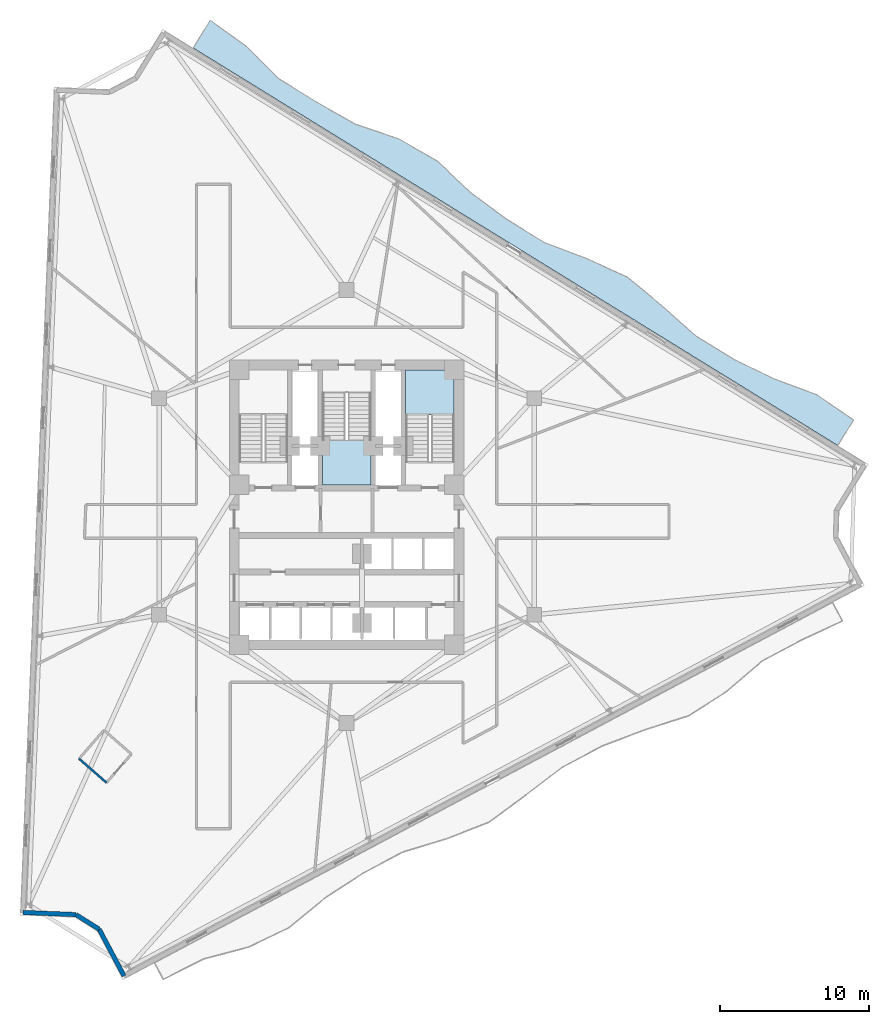
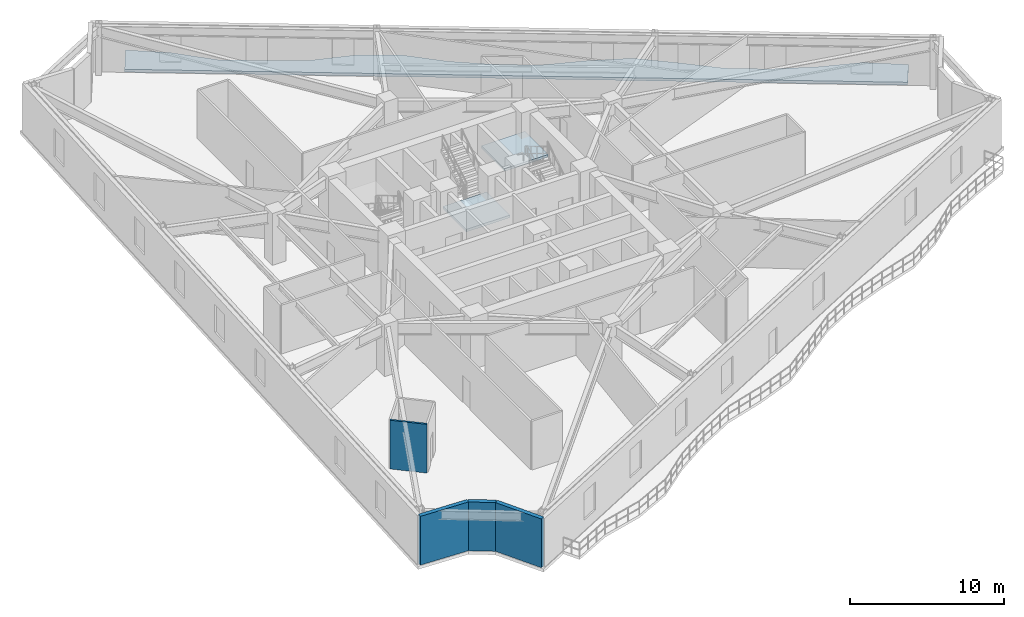
# One storey, part 4 of 11: 4 walls, 3 slabs, 2 elements without a shape of their own.
"""IFC4 building model written with IfcOpenShell, lengths in metres."""

import ifcopenshell
import ifcopenshell.guid

model = None  # the IFC model being written
_history = None  # IfcOwnerHistory: only IFC2X3 demands one
_inside = {}  # id of a spatial element -> (the spatial element, [elements in it])
_under = {}  # id of a project, library or spatial element -> (it, [spatial elements below it])
_declared = {}  # id of a project -> (the project, [libraries it declares])
_typed = {}  # id of a type object -> (the type object, [elements of that type])
_made_of = {}  # id of a material, layer set ... -> (it, [elements and type objects made of it])


def new_model(schema):
    """Start an empty IFC model of exactly this schema.

    Asked for "IFC4X3", IfcOpenShell would pick the latest addendum, in which some entities
    have other attributes; the version numbers below select the first issue.
    IFC2X3 requires an IfcOwnerHistory on every rooted entity: one is made here for all.
    """
    global model, _history
    if schema == "IFC4X3":
        model = ifcopenshell.file(schema_version=(4, 3, 0, 0))
    else:
        model = ifcopenshell.file(schema=schema)
    _inside.clear()
    _under.clear()
    _declared.clear()
    _typed.clear()
    _made_of.clear()
    _history = None
    if model.schema == "IFC2X3":
        org = make("IfcOrganization", Name="unknown")
        user = make(
            "IfcPersonAndOrganization",
            ThePerson=make("IfcPerson", FamilyName="unknown"),
            TheOrganization=org,
        )
        app = make(
            "IfcApplication",
            ApplicationDeveloper=org,
            Version="unknown",
            ApplicationFullName="unknown",
            ApplicationIdentifier="unknown",
        )
        _history = make(
            "IfcOwnerHistory",
            OwningUser=user,
            OwningApplication=app,
            ChangeAction="ADDED",
            CreationDate=0,
        )
    return model


def make(cls, **values):
    """One entity of the class cls with the attributes given. An attribute that is None is left unset."""
    return model.create_entity(
        cls, **{name: value for name, value in values.items() if value is not None}
    )


def rooted(cls, **values):
    """An entity with a GlobalId (a new one), such as an element, a storey or a relation."""
    return make(cls, GlobalId=ifcopenshell.guid.new(), OwnerHistory=_history, **values)


def si_unit(unit_type, name, prefix=None):
    """IfcSIUnit, for example si_unit("LENGTHUNIT", "METRE", prefix="MILLI")."""
    return make("IfcSIUnit", UnitType=unit_type, Prefix=prefix, Name=name)


def assignment(units):
    """IfcUnitAssignment: the units of a project."""
    return None if units is None else make("IfcUnitAssignment", Units=units)


def point(xyz):
    """IfcCartesianPoint."""
    return None if xyz is None else make("IfcCartesianPoint", Coordinates=xyz)


def direction(xyz):
    """IfcDirection."""
    return None if xyz is None else make("IfcDirection", DirectionRatios=xyz)


def frame(location, z_axis=None, x_axis=None):
    """IfcAxis2Placement3D, a coordinate frame: its origin and axes. An axis left out is left unset."""
    return make(
        "IfcAxis2Placement3D",
        Location=point(location),
        Axis=direction(z_axis),
        RefDirection=direction(x_axis),
    )


def frame_2d(location, x_axis=None):
    """IfcAxis2Placement2D, a coordinate frame in the plane: its origin and x axis."""
    return make(
        "IfcAxis2Placement2D", Location=point(location), RefDirection=direction(x_axis)
    )


def origin():
    """The frame at (0, 0, 0) with its axes left unset."""
    return frame((0.0, 0.0, 0.0))


def place(relative_to, where):
    """IfcLocalPlacement: puts the frame where relative to a parent placement (None: the world)."""
    return make(
        "IfcLocalPlacement", PlacementRelTo=relative_to, RelativePlacement=where
    )


def context(
    kind, dimensions, precision=None, world=None, true_north=None, identifier=None
):
    """IfcGeometricRepresentationContext, for example the 3D "Model" context."""
    return make(
        "IfcGeometricRepresentationContext",
        ContextIdentifier=identifier,
        ContextType=kind,
        CoordinateSpaceDimension=dimensions,
        Precision=precision,
        WorldCoordinateSystem=world,
        TrueNorth=true_north,
    )


def subcontext(parent, identifier, kind, view, scale=None):
    """IfcGeometricRepresentationSubContext, for example "Body" below "Model"."""
    return make(
        "IfcGeometricRepresentationSubContext",
        ContextIdentifier=identifier,
        ContextType=kind,
        ParentContext=parent,
        TargetScale=scale,
        TargetView=view,
    )


def project(units=None, contexts=None):
    """IfcProject with its units and contexts."""
    return rooted(
        "IfcProject",
        Name="project",
        RepresentationContexts=contexts,
        UnitsInContext=assignment(units),
    )


def spatial(cls, under=None, at=None, **own):
    """A site, building, storey or space (cls), placed at a placement, below another one or the project."""
    s = rooted(cls, ObjectPlacement=at, **own)
    if under is not None:
        _under.setdefault(under.id(), (under, []))[1].append(s)
    return s


def polyline(points):
    """IfcPolyline through the points."""
    return make("IfcPolyline", Points=[point(p) for p in points])


def profile(cls, at=None, kind="AREA", **sizes):
    """A parametric profile (cls). Its sizes go by their IFC names, for example OverallWidth=200.0."""
    return make(cls, ProfileType=kind, Position=at, **sizes)


def rectangle(**sizes):
    """IfcRectangleProfileDef."""
    return profile("IfcRectangleProfileDef", **sizes)


def outline(outer, holes=None, kind="AREA"):
    """IfcArbitraryClosedProfileDef: a profile drawn as a closed curve; with holes, ...WithVoids."""
    if holes is None:
        return make("IfcArbitraryClosedProfileDef", ProfileType=kind, OuterCurve=outer)
    return make(
        "IfcArbitraryProfileDefWithVoids",
        ProfileType=kind,
        OuterCurve=outer,
        InnerCurves=holes,
    )


def extrude(swept, where, along, depth):
    """IfcExtrudedAreaSolid: the profile swept, set in the frame where, extruded along a direction by depth."""
    return make(
        "IfcExtrudedAreaSolid",
        SweptArea=swept,
        Position=where,
        ExtrudedDirection=direction(along),
        Depth=depth,
    )


def shape(context_of_items, identifier, shape_type, items):
    """IfcShapeRepresentation: the items that make up one representation, for example the "Body"."""
    return make(
        "IfcShapeRepresentation",
        ContextOfItems=context_of_items,
        RepresentationIdentifier=identifier,
        RepresentationType=shape_type,
        Items=items,
    )


def material(Name=None, Category=None):
    """IfcMaterial."""
    return make("IfcMaterial", Name=Name, Category=Category)


def layer(
    of_material, thickness, ventilated=None, Name=None, Category=None, Priority=None
):
    """IfcMaterialLayer: one layer of a wall or slab, of a material (None: an air gap)."""
    return make(
        "IfcMaterialLayer",
        Material=of_material,
        LayerThickness=thickness,
        IsVentilated=ventilated,
        Name=Name,
        Category=Category,
        Priority=Priority,
    )


def layer_set(layers, Name=None):
    """IfcMaterialLayerSet."""
    return make("IfcMaterialLayerSet", MaterialLayers=layers, LayerSetName=Name)


def made_of(thing, what):
    """Note that an element or type object is made of a material, layer set ...; save() writes the relation."""
    if what is not None:
        _made_of.setdefault(what.id(), (what, []))[1].append(thing)
    return thing


def type_object(cls, material=None, **own):
    """A type object (cls), such as IfcWallType, which elements share."""
    return made_of(rooted(cls, **own), material)


def element(
    cls,
    number,
    at=None,
    inside=None,
    cuts=None,
    type_object=None,
    material=None,
    context=None,
    identifier="Body",
    shape_type=None,
    held_by="IfcProductDefinitionShape",
    body=None,
    shapes=None,
    **own,
):
    """One element of the class cls, such as IfcWall. Its Tag is "e" and its number.

    at: its placement. inside: the storey or other place that contains it. cuts: it is an
    opening in that element (IfcRelVoidsElement). A single representation is given by context,
    identifier, shape_type and body (its items); several are given by shapes. held_by: the class
    of the entity that holds the representations. save() writes the other relations.
    """
    e = rooted(cls, Tag="e%d" % number, ObjectPlacement=at, **own)
    if body is not None:
        shapes = [shape(context, identifier, shape_type, body)]
    if shapes is not None:
        e.Representation = make(held_by, Representations=shapes)
    if inside is not None:
        _inside.setdefault(inside.id(), (inside, []))[1].append(e)
    if cuts is not None:
        rooted(
            "IfcRelVoidsElement", RelatingBuildingElement=cuts, RelatedOpeningElement=e
        )
    if type_object is not None:
        _typed.setdefault(type_object.id(), (type_object, []))[1].append(e)
    return made_of(e, material)


def aggregate(whole, parts):
    """IfcRelAggregates: a whole, such as a stair, and the parts it consists of."""
    return rooted("IfcRelAggregates", RelatingObject=whole, RelatedObjects=parts)


def save(model, path):
    """Write the relations noted so far, then the file.

    IfcRelAggregates (storeys below a building ...), IfcRelContainedInSpatialStructure (elements
    in a storey), IfcRelDefinesByType, IfcRelAssociatesMaterial and IfcRelDeclares: one each for
    every whole, place, type object, material and project.
    """
    for whole, parts in _under.values():
        aggregate(whole, parts)
    for where, things in _inside.values():
        rooted(
            "IfcRelContainedInSpatialStructure",
            RelatedElements=things,
            RelatingStructure=where,
        )
    for kind, things in _typed.values():
        rooted("IfcRelDefinesByType", RelatedObjects=things, RelatingType=kind)
    for what, things in _made_of.values():
        rooted("IfcRelAssociatesMaterial", RelatedObjects=things, RelatingMaterial=what)
    for by, libraries in _declared.values():
        rooted("IfcRelDeclares", RelatingContext=by, RelatedDefinitions=libraries)
    model.write(path)


model = new_model("IFC4")

# Units and contexts
model_context = context("Model", 3, precision=1e-05, world=origin(), true_north=direction((0.0, 1.0)))
body_context = subcontext(model_context, "Body", "Model", "MODEL_VIEW")
ifc_project = project(units=[si_unit("LENGTHUNIT", "METRE"), si_unit("AREAUNIT", "SQUARE_METRE"), si_unit("VOLUMEUNIT", "CUBIC_METRE"), si_unit("PLANEANGLEUNIT", "RADIAN"), si_unit("MASSUNIT", "GRAM", prefix="KILO")], contexts=[model_context])

# Site, building, storey
site_placement = place(None, origin())
site = spatial("IfcSite", under=ifc_project, at=site_placement, CompositionType="ELEMENT")
building_placement = place(site_placement, origin())
building = spatial("IfcBuilding", under=site, at=building_placement, Name="Apsidion Concourse Tower", CompositionType="ELEMENT")
storey_placement = place(building_placement, frame((0.0, 0.0, 186.0)))
storey = spatial("IfcBuildingStorey", under=building, at=storey_placement, Name="L43", CompositionType="ELEMENT", Elevation=186.0)

# Slab
ifc_material_1 = material(Name="Concrete C50/60", Category="concrete")
ifc_layer_1 = layer(ifc_material_1, 0.219970703125)
ifc_layer_set_1 = layer_set([ifc_layer_1], Name="Concrete C50/60")
slab_type_1 = type_object("IfcSlabType", Name="SL-BAL-220", PredefinedType="FLOOR", material=ifc_layer_set_1)
slab_1_placement = place(storey_placement, frame((0.0, 0.0, -0.219970703125)))
element("IfcSlab", 1, at=slab_1_placement, inside=storey, type_object=slab_type_1, Name="L43 Face 3 Rippling Balcony Slab", PredefinedType="FLOOR", context=body_context, shape_type="SweptSolid", body=[
    extrude(outline(polyline([(32.885498046875, 4.086669921875), (30.346435546875, 5.652587890625), (27.8076171875, 7.21826171875), (25.2685546875, 8.783935546875), (22.7294921875, 10.349609375), (20.1904296875, 11.91552734375), (17.651611328125, 13.481201171875), (15.112548828125, 15.047119140625), (12.573486328125, 16.61279296875), (10.034423828125, 18.178466796875), (7.495361328125, 19.744140625), (4.956298828125, 21.31005859375), (2.41748046875, 22.875732421875), (-0.12158203125, 24.44140625), (-2.66064453125, 26.007080078125), (-5.19970703125, 27.572998046875), (-7.738525390625, 29.138671875), (-10.277587890625, 30.70458984375), (-9.135986328125, 32.5556640625), (-6.7109375, 30.80517578125), (-4.54345703125, 28.636962890625), (-2.00439453125, 27.0712890625), (0.58935546875, 25.59423828125), (3.49072265625, 24.6162109375), (6.07470703125, 23.12353515625), (8.2861328125, 21.026611328125), (10.690673828125, 19.242431640625), (13.2294921875, 17.6767578125), (16.0712890625, 16.601806640625), (18.805908203125, 15.353515625), (21.1240234375, 13.42919921875), (23.385498046875, 11.413818359375), (25.924560546875, 9.847900390625), (28.62548828125, 8.544921875), (31.476318359375, 7.484375), (33.940185546875, 5.79736328125), (32.885498046875, 4.086669921875)])), origin(), (0.0, 0.0, 1.0), 0.219970703125),
])

# Stair, slab
ifc_material_2 = material(Name="Precast concrete C40/50", Category="concrete")
stair_type = type_object("IfcStairType", Name="ST-DL-1550", PredefinedType="HALF_TURN_STAIR", material=ifc_material_2)
stair_1_placement = place(storey_placement, origin())
stair_1 = element("IfcStair", 2, at=stair_1_placement, inside=storey, type_object=stair_type, Name="L43 Protected Core Exit Stair ST2", PredefinedType="HALF_TURN_STAIR")
ifc_layer_2 = layer(ifc_material_1, 0.199951171875)
ifc_layer_set_2 = layer_set([ifc_layer_2], Name="Concrete C50/60")
slab_type_2 = type_object("IfcSlabType", Name="SL-ST-LAND-200", PredefinedType="LANDING", material=ifc_layer_set_2)
slab_2_placement = place(storey_placement, frame((0.0, 0.0, 1.85009765625)))
slab_2 = element("IfcSlab", 3, at=slab_2_placement, type_object=slab_type_2, Name="ST2 landing 1", PredefinedType="LANDING", context=body_context, shape_type="SweptSolid", body=[
    extrude(outline(polyline([(7.199951171875, 6.135009765625), (7.199951171875, 9.14990234375), (3.949951171875, 9.14990234375), (3.949951171875, 6.135009765625), (7.199951171875, 6.135009765625)])), origin(), (0.0, 0.0, 1.0), 0.199951171875),
])
aggregate(stair_1, [slab_2])

stair_2_placement = place(storey_placement, origin())
stair_2 = element("IfcStair", 4, at=stair_2_placement, inside=storey, type_object=stair_type, Name="L43 Protected Core Exit Stair ST3", PredefinedType="HALF_TURN_STAIR")
slab_3_placement = place(storey_placement, frame((0.0, 0.0, 1.85009765625)))
slab_3 = element("IfcSlab", 5, at=slab_3_placement, type_object=slab_type_2, Name="ST3 landing 1", PredefinedType="LANDING", context=body_context, shape_type="SweptSolid", body=[
    extrude(outline(polyline([(-1.625, 4.465087890625), (-1.625, 1.449951171875), (1.625, 1.449951171875), (1.625, 4.465087890625), (-1.625, 4.465087890625)])), origin(), (0.0, 0.0, 1.0), 0.199951171875),
])
aggregate(stair_2, [slab_3])

# Walls
ifc_layer_3 = layer(ifc_material_2, 0.300048828125)
ifc_layer_set_3 = layer_set([ifc_layer_3], Name="Precast concrete C40/50")
wall_type_1 = type_object("IfcWallType", Name="WL-EXT-300", PredefinedType="STANDARD", material=ifc_layer_set_3)
wall_1_placement = place(storey_placement, frame((-14.910400390625, -31.4345703125, 0.0), z_axis=(0.0, 0.0, 1.0), x_axis=(-0.469464339615, 0.882951433449, 0.0)))
element("IfcWall", 6, at=wall_1_placement, inside=storey, type_object=wall_type_1, Name="L43 Precast Stone Facade Wall 06", PredefinedType="STANDARD", context=body_context, shape_type="SweptSolid", body=[
    extrude(rectangle(XDim=3.54150390625, YDim=0.300048828125, at=frame_2d((1.770751953125, 0.0))), origin(), (0.0, 0.0, 1.0), 3.85009765625),
])
wall_2_placement = place(storey_placement, frame((-16.572998046875, -28.3076171875, 0.0), z_axis=(0.0, 0.0, 1.0), x_axis=(-0.846450132201, 0.53246800251, 0.0)))
element("IfcWall", 7, at=wall_2_placement, inside=storey, type_object=wall_type_1, Name="L43 Precast Stone Facade Wall 07", PredefinedType="STANDARD", context=body_context, shape_type="SweptSolid", body=[
    extrude(rectangle(XDim=1.838134765625, YDim=0.300048828125, at=frame_2d((0.9189453125, 0.0))), origin(), (0.0, 0.0, 1.0), 3.85009765625),
])
wall_3_placement = place(storey_placement, frame((-18.12890625, -27.328857421875, 0.0), z_axis=(0.0, 0.0, 1.0), x_axis=(-0.999166906151, 0.040810460083, 0.0)))
element("IfcWall", 8, at=wall_3_placement, inside=storey, type_object=wall_type_1, Name="L43 Precast Stone Facade Wall 08", PredefinedType="STANDARD", context=body_context, shape_type="SweptSolid", body=[
    extrude(rectangle(XDim=3.54150390625, YDim=0.300048828125, at=frame_2d((1.770751953125, 0.0))), origin(), (0.0, 0.0, 1.0), 3.85009765625),
])
ifc_material_3 = material(Name="Gypsum plasterboard partition")
ifc_layer_4 = layer(ifc_material_3, 0.139892578125)
ifc_layer_set_4 = layer_set([ifc_layer_4], Name="Gypsum plasterboard partition")
wall_type_2 = type_object("IfcWallType", Name="WL-INT-PAR-140", PredefinedType="PARTITIONING", material=ifc_layer_set_4)
wall_4_placement = place(storey_placement, frame((-17.92138671875, -16.888671875, 0.0), z_axis=(0.0, 0.0, 1.0), x_axis=(0.753592256426, -0.65734215676, 0.0)))
element("IfcWall", 9, at=wall_4_placement, inside=storey, type_object=wall_type_2, Name="L43 Interior Partition WL-L43-POD-OFAWC-S2", PredefinedType="PARTITIONING", context=body_context, shape_type="SweptSolid", body=[
    extrude(rectangle(XDim=2.440185546875, YDim=0.139892578125, at=frame_2d((1.22021484375, 0.0))), origin(), (0.0, 0.0, 1.0), 3.85009765625),
])

save(model, "model.ifc")
